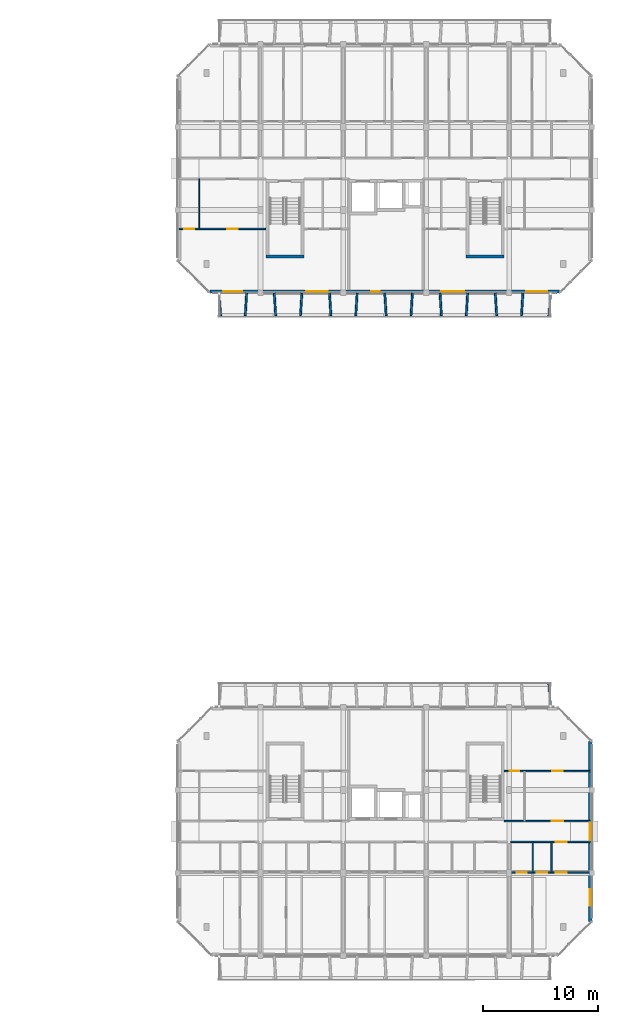
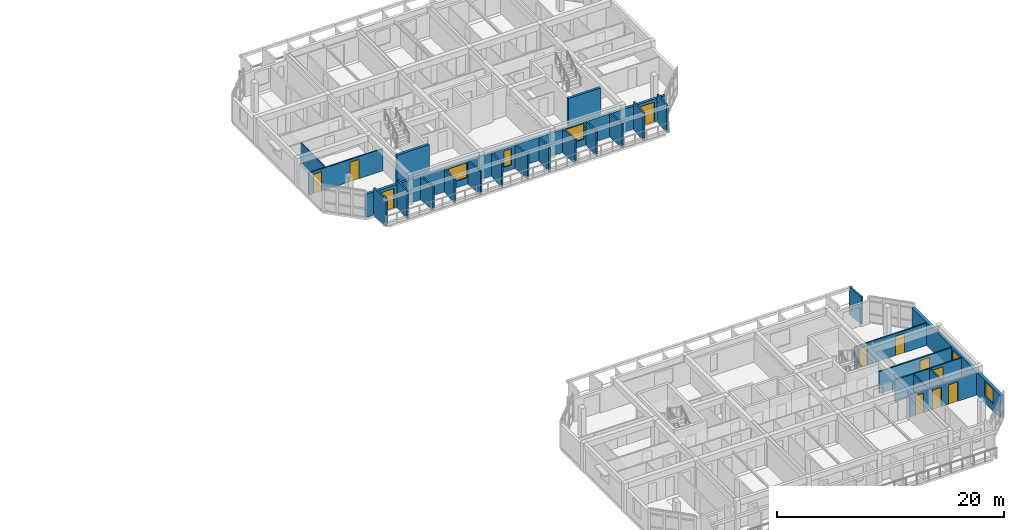
# One storey, part 28 of 43: 26 walls, 11 doors, 5 windows, 16 openings.
"""IFC4 building model written with IfcOpenShell, lengths in metres."""

from ifc_helpers import new_model, si_unit, direction, frame, frame_2d, origin, place, context, subcontext, project, spatial, rectangle, extrude, material, layer, layer_set, type_object, element, fill, save


model = new_model("IFC4")

# Units and contexts
model_context = context("Model", 3, precision=1e-05, world=origin(), true_north=direction((0.0, 1.0)))
body_context = subcontext(model_context, "Body", "Model", "MODEL_VIEW")
ifc_project = project(units=[si_unit("LENGTHUNIT", "METRE"), si_unit("AREAUNIT", "SQUARE_METRE"), si_unit("VOLUMEUNIT", "CUBIC_METRE"), si_unit("PLANEANGLEUNIT", "RADIAN"), si_unit("MASSUNIT", "GRAM", prefix="KILO")], contexts=[model_context])

# Site, building, storey
site_placement = place(None, origin())
site = spatial("IfcSite", under=ifc_project, at=site_placement, CompositionType="ELEMENT")
building_placement = place(site_placement, origin())
building = spatial("IfcBuilding", under=site, at=building_placement, Name="Ochrevale Crest", CompositionType="ELEMENT")
storey_placement = place(building_placement, frame((0.0, 0.0, 30.75)))
storey = spatial("IfcBuildingStorey", under=building, at=storey_placement, Name="L09", CompositionType="ELEMENT", Elevation=30.75)

# Wall, opening, door
ifc_material_1 = material(Name="Gypsum plasterboard", Category="gypsum")
ifc_layer_1 = layer(ifc_material_1, 0.139892578125)
ifc_layer_set_1 = layer_set([ifc_layer_1], Name="Gypsum plasterboard")
wall_type_1 = type_object("IfcWallType", Name="WL-COR-140", PredefinedType="PARTITIONING", material=ifc_layer_set_1)
wall_1_placement = place(storey_placement, frame((158.5400390625, 24.300048828125, 0.0), z_axis=(0.0, 0.0, 1.0), x_axis=(1.0, 0.0, 0.0)))
wall_1 = element("IfcWall", 1, at=wall_1_placement, inside=storey, type_object=wall_type_1, Name="Apartment C-L09-U5 corridor wall", PredefinedType="PARTITIONING", context=body_context, shape_type="SweptSolid", body=[
    extrude(rectangle(XDim=6.919921875, YDim=0.139892578125, at=frame_2d((3.4599609375, 0.0))), origin(), (0.0, 0.0, 1.0), 2.3798828125),
])
opening_1_placement = place(wall_1_placement, frame((4.875, 0.0, 0.0), z_axis=(0.0, 0.0, 1.0), x_axis=(-1.0, 0.0, 0.0)))
opening_1 = element("IfcOpeningElement", 2, at=opening_1_placement, cuts=wall_1, Name="Opening FD01", PredefinedType="OPENING", context=body_context, shape_type="SweptSolid", body=[
    extrude(rectangle(XDim=0.97998046875, YDim=2.10009765625, at=frame_2d((0.489990234375, 1.050048828125))), frame((0.0, 0.080078125, 0.0), z_axis=(0.0, -1.0, 0.0), x_axis=(1.0, 0.0, 0.0)), (0.0, 0.0, 1.0), 0.159912109375),
])
ifc_material_2 = material(Name="Solid-core FSC hardwood", Category="wood")
door_type_1 = type_object("IfcDoorType", Name="DR-APT-950", OperationType="NOTDEFINED", PredefinedType="DOOR", material=ifc_material_2)
door_1_placement = place(opening_1_placement, origin())
door_1 = element("IfcDoor", 3, at=door_1_placement, inside=storey, type_object=door_type_1, Name="Apartment C-L09-U5 entrance door", OperationType="SINGLE_SWING_RIGHT", OverallHeight=2.10009765625, OverallWidth=0.97998046875, PredefinedType="DOOR", context=body_context, shape_type="SweptSolid", body=[
    extrude(rectangle(XDim=0.97998046875, YDim=2.10009765625, at=frame_2d((0.489990234375, 1.050048828125))), frame((0.0, 0.02490234375, 0.0), z_axis=(0.0, -1.0, 0.0), x_axis=(1.0, 0.0, 0.0)), (0.0, 0.0, 1.0), 0.050048828125),
])
fill(opening_1, door_1)

wall_2_placement = place(storey_placement, frame((157.989990234375, 26.10009765625, 0.0), z_axis=(0.0, 0.0, 1.0), x_axis=(1.0, 0.0, 0.0)))
wall_2 = element("IfcWall", 4, at=wall_2_placement, inside=storey, type_object=wall_type_1, Name="Suite C-L09-CE corridor wall", PredefinedType="PARTITIONING", context=body_context, shape_type="SweptSolid", body=[
    extrude(rectangle(XDim=7.469970703125, YDim=0.139892578125, at=frame_2d((3.73486328125, 0.0))), origin(), (0.0, 0.0, 1.0), 2.3798828125),
])
opening_2_placement = place(wall_2_placement, frame((5.10009765625, 0.0, 0.0), z_axis=(0.0, 0.0, 1.0), x_axis=(-1.0, 0.0, 0.0)))
opening_2 = element("IfcOpeningElement", 5, at=opening_2_placement, cuts=wall_2, Name="Opening FD01", PredefinedType="OPENING", context=body_context, shape_type="SweptSolid", body=[
    extrude(rectangle(XDim=0.97998046875, YDim=2.10009765625, at=frame_2d((0.489990234375, 1.050048828125))), frame((0.0, 0.080078125, 0.0), z_axis=(0.0, -1.0, 0.0), x_axis=(1.0, 0.0, 0.0)), (0.0, 0.0, 1.0), 0.159912109375),
])
door_2_placement = place(opening_2_placement, origin())
door_2 = element("IfcDoor", 6, at=door_2_placement, inside=storey, type_object=door_type_1, Name="Suite C-L09-CE entrance door", OperationType="SINGLE_SWING_RIGHT", OverallHeight=2.10009765625, OverallWidth=0.97998046875, PredefinedType="DOOR", context=body_context, shape_type="SweptSolid", body=[
    extrude(rectangle(XDim=0.97998046875, YDim=2.10009765625, at=frame_2d((0.489990234375, 1.050048828125))), frame((0.0, 0.02490234375, 0.0), z_axis=(0.0, -1.0, 0.0), x_axis=(1.0, 0.0, 0.0)), (0.0, 0.0, 1.0), 0.050048828125),
])
fill(opening_2, door_2)

# Walls
ifc_material_3 = material(Name="Precast concrete C50/60", Category="concrete")
ifc_layer_2 = layer(ifc_material_3, 0.2548828125)
ifc_layer_set_2 = layer_set([ifc_layer_2], Name="Precast concrete C50/60")
wall_type_2 = type_object("IfcWallType", Name="WL-CORE-255", PredefinedType="SHEAR", material=ifc_layer_set_2)
for number, where, z_axis, x_axis, name in (
    (7, (137.2724609375, 75.14990234375, 0.0), (0.0, 0.0, 1.0), (1.0, 0.0, 0.0), "Block D L09 Stair 1 precast core shear wall S"),
    (8, (154.672607421875, 75.14990234375, 0.0), (0.0, 0.0, 1.0), (1.0, 0.0, 0.0), "Block D L09 Stair 2 precast core shear wall S"),
):
    element("IfcWall", number, at=place(storey_placement, frame(where, z_axis=z_axis, x_axis=x_axis)), inside=storey, type_object=wall_type_2, Name=name, PredefinedType="SHEAR", context=body_context, shape_type="SweptSolid", body=[
        extrude(rectangle(XDim=3.304931640625, YDim=0.2548828125, at=frame_2d((1.65234375, 0.0))), origin(), (0.0, 0.0, 1.0), 3.14990234375),
    ])

# Wall, openings, windows
ifc_material_4 = material(Name="Clay face brickwork", Category="masonry")
ifc_layer_3 = layer(ifc_material_4, 0.2900390625)
ifc_layer_set_3 = layer_set([ifc_layer_3], Name="Clay face brickwork")
wall_type_3 = type_object("IfcWallType", Name="WL-EXT-BRICK-290", PredefinedType="SOLIDWALL", material=ifc_layer_set_3)
wall_3_placement = place(storey_placement, frame((165.455078125, 17.39990234375, 0.0), z_axis=(0.0, 0.0, 1.0), x_axis=(0.0, 1.0, 0.0)))
wall_3 = element("IfcWall", 9, at=wall_3_placement, inside=storey, type_object=wall_type_3, Name="Block C L09 external facade wall E3", PredefinedType="SOLIDWALL", context=body_context, shape_type="SweptSolid", body=[
    extrude(rectangle(XDim=15.60009765625, YDim=0.2900390625, at=frame_2d((7.800048828125, 0.0))), origin(), (0.0, 0.0, 1.0), 2.47998046875),
])
opening_3_placement = place(wall_3_placement, frame((7.050048828125, 0.0, 1.050048828125)))
opening_3 = element("IfcOpeningElement", 10, at=opening_3_placement, cuts=wall_3, Name="Opening W18", PredefinedType="OPENING", context=body_context, shape_type="SweptSolid", body=[
    extrude(rectangle(XDim=1.5, YDim=1.14990234375, at=frame_2d((0.75, 0.574951171875))), frame((0.0, 0.155029296875, 0.0), z_axis=(0.0, -1.0, 0.0), x_axis=(1.0, 0.0, 0.0)), (0.0, 0.0, 1.0), 0.31005859375),
])
opening_4_placement = place(wall_3_placement, frame((1.362548828125, 0.0, 0.75)))
opening_4 = element("IfcOpeningElement", 11, at=opening_4_placement, cuts=wall_3, Name="Opening W31", PredefinedType="OPENING", context=body_context, shape_type="SweptSolid", body=[
    extrude(rectangle(XDim=1.419921875, YDim=1.60009765625, at=frame_2d((0.7099609375, 0.800048828125))), frame((0.0, 0.155029296875, 0.0), z_axis=(0.0, -1.0, 0.0), x_axis=(1.0, 0.0, 0.0)), (0.0, 0.0, 1.0), 0.31005859375),
])
ifc_material_5 = material(Name="Anodised aluminium 6063-T5 and low-E double glazing", Category="aluminium")
window_type_1 = type_object("IfcWindowType", Name="WIN-W18", PartitioningType="SINGLE_PANEL", PredefinedType="WINDOW", material=ifc_material_5)
window_1_placement = place(opening_3_placement, origin())
window_1 = element("IfcWindow", 12, at=window_1_placement, inside=storey, type_object=window_type_1, Name="Block C L09 corridor end daylight window E", OverallHeight=1.14990234375, OverallWidth=1.5, PartitioningType="SINGLE_PANEL", PredefinedType="WINDOW", context=body_context, shape_type="SweptSolid", body=[
    extrude(rectangle(XDim=1.5, YDim=1.14990234375, at=frame_2d((0.75, 0.574951171875))), frame((0.0, 0.030029296875, 0.0), z_axis=(0.0, -1.0, 0.0), x_axis=(1.0, 0.0, 0.0)), (0.0, 0.0, 1.0), 0.06005859375),
])
fill(opening_3, window_1)
window_type_2 = type_object("IfcWindowType", Name="WIN-W31", PartitioningType="SINGLE_PANEL", PredefinedType="WINDOW", material=ifc_material_5)
window_2_placement = place(opening_4_placement, origin())
window_2 = element("IfcWindow", 13, at=window_2_placement, inside=storey, type_object=window_type_2, Name="Block C L09 side suite window E", OverallHeight=1.60009765625, OverallWidth=1.419921875, PartitioningType="SINGLE_PANEL", PredefinedType="WINDOW", context=body_context, shape_type="SweptSolid", body=[
    extrude(rectangle(XDim=1.419921875, YDim=1.60009765625, at=frame_2d((0.7099609375, 0.800048828125))), frame((0.0, 0.030029296875, 0.0), z_axis=(0.0, -1.0, 0.0), x_axis=(1.0, 0.0, 0.0)), (0.0, 0.0, 1.0), 0.06005859375),
])
fill(opening_4, window_2)

# Wall, openings, doors, windows
ifc_material_6 = material(Name="Precast concrete C40/50", Category="concrete")
ifc_layer_4 = layer(ifc_material_6, 0.25)
ifc_layer_set_4 = layer_set([ifc_layer_4], Name="Precast concrete C40/50")
wall_type_4 = type_object("IfcWallType", Name="WL-EXT-GOLD-250", PredefinedType="SOLIDWALL", material=ifc_layer_set_4)
wall_4_placement = place(storey_placement, frame((132.39990234375, 72.125, 0.0), z_axis=(0.0, 0.0, 1.0), x_axis=(1.0, 0.0, 0.0)))
wall_4 = element("IfcWall", 14, at=wall_4_placement, inside=storey, type_object=wall_type_4, Name="Block D L09 external facade wall E1", PredefinedType="SOLIDWALL", context=body_context, shape_type="SweptSolid", body=[
    extrude(rectangle(XDim=30.400146484375, YDim=0.25, at=frame_2d((15.2001953125, 0.0))), origin(), (0.0, 0.0, 1.0), 2.47998046875),
])
opening_5_placement = place(wall_4_placement, frame((2.824951171875, 0.0, 0.0), z_axis=(0.0, 0.0, 1.0), x_axis=(-1.0, 0.0, 0.0)))
opening_5 = element("IfcOpeningElement", 15, at=opening_5_placement, cuts=wall_4, Name="Opening BD02", PredefinedType="OPENING", context=body_context, shape_type="SweptSolid", body=[
    extrude(rectangle(XDim=1.64990234375, YDim=2.14990234375, at=frame_2d((0.824951171875, 1.074951171875))), frame((0.0, 0.135009765625, 0.0), z_axis=(0.0, -1.0, 0.0), x_axis=(1.0, 0.0, 0.0)), (0.0, 0.0, 1.0), 0.27001953125),
])
opening_6_placement = place(wall_4_placement, frame((29.300048828125, 0.0, 0.0), z_axis=(0.0, 0.0, 1.0), x_axis=(-1.0, 0.0, 0.0)))
opening_6 = element("IfcOpeningElement", 16, at=opening_6_placement, cuts=wall_4, Name="Opening BD03", PredefinedType="OPENING", context=body_context, shape_type="SweptSolid", body=[
    extrude(rectangle(XDim=1.800048828125, YDim=2.14990234375, at=frame_2d((0.89990234375, 1.074951171875))), frame((0.0, 0.135009765625, 0.0), z_axis=(0.0, -1.0, 0.0), x_axis=(1.0, 0.0, 0.0)), (0.0, 0.0, 1.0), 0.27001953125),
])
opening_7_placement = place(wall_4_placement, frame((14.02001953125, 0.0, 0.5)))
opening_7 = element("IfcOpeningElement", 17, at=opening_7_placement, cuts=wall_4, Name="Opening W16", PredefinedType="OPENING", context=body_context, shape_type="SweptSolid", body=[
    extrude(rectangle(XDim=0.75, YDim=1.75, at=frame_2d((0.375, 0.875))), frame((0.0, 0.135009765625, 0.0), z_axis=(0.0, -1.0, 0.0), x_axis=(1.0, 0.0, 0.0)), (0.0, 0.0, 1.0), 0.27001953125),
])
opening_8_placement = place(wall_4_placement, frame((20.125, 0.0, 0.699951171875)))
opening_8 = element("IfcOpeningElement", 18, at=opening_8_placement, cuts=wall_4, Name="Opening W12", PredefinedType="OPENING", context=body_context, shape_type="SweptSolid", body=[
    extrude(rectangle(XDim=2.0, YDim=1.64990234375, at=frame_2d((1.0, 0.824951171875))), frame((0.0, 0.135009765625, 0.0), z_axis=(0.0, -1.0, 0.0), x_axis=(1.0, 0.0, 0.0)), (0.0, 0.0, 1.0), 0.27001953125),
])
opening_9_placement = place(wall_4_placement, frame((8.3701171875, 0.0, 0.699951171875)))
opening_9 = element("IfcOpeningElement", 19, at=opening_9_placement, cuts=wall_4, Name="Opening W11", PredefinedType="OPENING", context=body_context, shape_type="SweptSolid", body=[
    extrude(rectangle(XDim=1.860107421875, YDim=1.60009765625, at=frame_2d((0.93017578125, 0.800048828125))), frame((0.0, 0.135009765625, 0.0), z_axis=(0.0, -1.0, 0.0), x_axis=(1.0, 0.0, 0.0)), (0.0, 0.0, 1.0), 0.27001953125),
])
ifc_material_7 = material(Name="Anodised aluminium 6063-T5 and toughened glass", Category="aluminium")
door_type_2 = type_object("IfcDoorType", Name="DR-BAL-1650", OperationType="NOTDEFINED", PredefinedType="DOOR", material=ifc_material_7)
door_3_placement = place(opening_5_placement, origin())
door_3 = element("IfcDoor", 20, at=door_3_placement, inside=storey, type_object=door_type_2, Name="Block D L09 balcony door S1", OperationType="SINGLE_SWING_LEFT", OverallHeight=2.14990234375, OverallWidth=1.64990234375, PredefinedType="DOOR", context=body_context, shape_type="SweptSolid", body=[
    extrude(rectangle(XDim=1.64990234375, YDim=2.14990234375, at=frame_2d((0.824951171875, 1.074951171875))), frame((0.0, 0.02490234375, 0.0), z_axis=(0.0, -1.0, 0.0), x_axis=(1.0, 0.0, 0.0)), (0.0, 0.0, 1.0), 0.050048828125),
])
fill(opening_5, door_3)
door_type_3 = type_object("IfcDoorType", Name="DR-BAL-1800", OperationType="NOTDEFINED", PredefinedType="DOOR", material=ifc_material_7)
door_4_placement = place(opening_6_placement, origin())
door_4 = element("IfcDoor", 21, at=door_4_placement, inside=storey, type_object=door_type_3, Name="Block D L09 balcony door S5", OperationType="SINGLE_SWING_RIGHT", OverallHeight=2.14990234375, OverallWidth=1.800048828125, PredefinedType="DOOR", context=body_context, shape_type="SweptSolid", body=[
    extrude(rectangle(XDim=1.800048828125, YDim=2.14990234375, at=frame_2d((0.89990234375, 1.074951171875))), frame((0.0, 0.02490234375, 0.0), z_axis=(0.0, -1.0, 0.0), x_axis=(1.0, 0.0, 0.0)), (0.0, 0.0, 1.0), 0.050048828125),
])
fill(opening_6, door_4)
window_type_3 = type_object("IfcWindowType", Name="WIN-W11", PartitioningType="SINGLE_PANEL", PredefinedType="WINDOW", material=ifc_material_5)
window_3_placement = place(opening_9_placement, origin())
window_3 = element("IfcWindow", 22, at=window_3_placement, inside=storey, type_object=window_type_3, Name="Block D L09 Suite D-L09-MW Courtyard Studio Living window", OverallHeight=1.60009765625, OverallWidth=1.860107421875, PartitioningType="SINGLE_PANEL", PredefinedType="WINDOW", context=body_context, shape_type="SweptSolid", body=[
    extrude(rectangle(XDim=1.860107421875, YDim=1.60009765625, at=frame_2d((0.93017578125, 0.800048828125))), frame((0.0, 0.030029296875, 0.0), z_axis=(0.0, -1.0, 0.0), x_axis=(1.0, 0.0, 0.0)), (0.0, 0.0, 1.0), 0.06005859375),
])
fill(opening_9, window_3)
window_type_4 = type_object("IfcWindowType", Name="WIN-W12", PartitioningType="SINGLE_PANEL", PredefinedType="WINDOW", material=ifc_material_5)
window_4_placement = place(opening_8_placement, origin())
window_4 = element("IfcWindow", 23, at=window_4_placement, inside=storey, type_object=window_type_4, Name="Block D L09 Suite D-L09-ME Garden Alcove Studio window", OverallHeight=1.64990234375, OverallWidth=2.0, PartitioningType="SINGLE_PANEL", PredefinedType="WINDOW", context=body_context, shape_type="SweptSolid", body=[
    extrude(rectangle(XDim=2.0, YDim=1.64990234375, at=frame_2d((1.0, 0.824951171875))), frame((0.0, 0.030029296875, 0.0), z_axis=(0.0, -1.0, 0.0), x_axis=(1.0, 0.0, 0.0)), (0.0, 0.0, 1.0), 0.06005859375),
])
fill(opening_8, window_4)
window_type_5 = type_object("IfcWindowType", Name="WIN-W16", PartitioningType="SINGLE_PANEL", PredefinedType="WINDOW", material=ifc_material_5)
window_5_placement = place(opening_7_placement, origin())
window_5 = element("IfcWindow", 24, at=window_5_placement, inside=storey, type_object=window_type_5, Name="Block D L09 core lancet window", OverallHeight=1.75, OverallWidth=0.75, PartitioningType="SINGLE_PANEL", PredefinedType="WINDOW", context=body_context, shape_type="SweptSolid", body=[
    extrude(rectangle(XDim=0.75, YDim=1.75, at=frame_2d((0.375, 0.875))), frame((0.0, 0.030029296875, 0.0), z_axis=(0.0, -1.0, 0.0), x_axis=(1.0, 0.0, 0.0)), (0.0, 0.0, 1.0), 0.06005859375),
])
fill(opening_7, window_5)

# Walls
ifc_layer_5 = layer(ifc_material_6, 0.1650390625)
ifc_layer_set_5 = layer_set([ifc_layer_5], Name="Precast concrete C40/50")
wall_type_5 = type_object("IfcWallType", Name="WL-HC-CHEEK-165", PredefinedType="ELEMENTEDWALL", material=ifc_layer_set_5)
for number, where, z_axis, x_axis, name in (
    (25, (162.0, 36.02001953125, 0.0), (0.0, 0.0, 1.0), (-0.071194071069, 0.997462482625, 0.0), "Block C L09 N precast honeycomb cheek 13"),
    (26, (133.199951171875, 71.97998046875, 0.0), (0.0, 0.0, 1.0), (0.071317687608, -0.997453651772, 0.0), "Block D L09 S precast honeycomb cheek 1"),
):
    element("IfcWall", number, at=place(storey_placement, frame(where, z_axis=z_axis, x_axis=x_axis)), inside=storey, type_object=wall_type_5, Name=name, PredefinedType="ELEMENTEDWALL", context=body_context, shape_type="SweptSolid", body=[
        extrude(rectangle(XDim=1.96484375, YDim=0.1650390625, at=frame_2d((0.982421875, 0.0))), origin(), (0.0, 0.0, 1.0), 2.949951171875),
    ])
wall_5_placement = place(storey_placement, frame((135.60009765625, 71.97998046875, 0.0), z_axis=(0.0, 0.0, 1.0), x_axis=(-0.061170732449, -0.998127317276, 0.0)))
element("IfcWall", 27, at=wall_5_placement, inside=storey, type_object=wall_type_5, Name="Block D L09 S precast honeycomb cheek 2", PredefinedType="ELEMENTEDWALL", context=body_context, shape_type="SweptSolid", body=[
    extrude(rectangle(XDim=1.963623046875, YDim=0.1650390625, at=frame_2d((0.98193359375, 0.0))), origin(), (0.0, 0.0, 1.0), 2.949951171875),
])
for number, where, z_axis, x_axis, name in (
    (28, (138.0, 71.97998046875, 0.0), (0.0, 0.0, 1.0), (0.061170732449, -0.998127317276, 0.0), "Block D L09 S precast honeycomb cheek 3"),
    (29, (140.39990234375, 71.97998046875, 0.0), (0.0, 0.0, 1.0), (-0.061046865508, -0.998134900808, 0.0), "Block D L09 S precast honeycomb cheek 4"),
    (30, (142.800048828125, 71.97998046875, 0.0), (0.0, 0.0, 1.0), (0.061046865508, -0.998134900808, 0.0), "Block D L09 S precast honeycomb cheek 5"),
):
    element("IfcWall", number, at=place(storey_placement, frame(where, z_axis=z_axis, x_axis=x_axis)), inside=storey, type_object=wall_type_5, Name=name, PredefinedType="ELEMENTEDWALL", context=body_context, shape_type="SweptSolid", body=[
        extrude(rectangle(XDim=1.963623046875, YDim=0.1650390625, at=frame_2d((0.98193359375, 0.0))), origin(), (0.0, 0.0, 1.0), 2.47998046875),
    ])
for number, where, z_axis, x_axis, name in (
    (31, (145.199951171875, 71.97998046875, 0.0), (0.0, 0.0, 1.0), (-0.061046865508, -0.998134900808, 0.0), "Block D L09 S precast honeycomb cheek 6"),
    (32, (147.60009765625, 71.97998046875, 0.0), (0.0, 0.0, 1.0), (0.061046865508, -0.998134900808, 0.0), "Block D L09 S precast honeycomb cheek 7"),
    (33, (150.0, 71.97998046875, 0.0), (0.0, 0.0, 1.0), (-0.061170732449, -0.998127317276, 0.0), "Block D L09 S precast honeycomb cheek 8"),
):
    element("IfcWall", number, at=place(storey_placement, frame(where, z_axis=z_axis, x_axis=x_axis)), inside=storey, type_object=wall_type_5, Name=name, PredefinedType="ELEMENTEDWALL", context=body_context, shape_type="SweptSolid", body=[
        extrude(rectangle(XDim=1.963623046875, YDim=0.1650390625, at=frame_2d((0.98193359375, 0.0))), origin(), (0.0, 0.0, 1.0), 2.550048828125),
    ])
for number, where, z_axis, x_axis, name in (
    (34, (152.39990234375, 71.97998046875, 0.0), (0.0, 0.0, 1.0), (0.061170732449, -0.998127317276, 0.0), "Block D L09 S precast honeycomb cheek 9"),
    (35, (154.800048828125, 71.97998046875, 0.0), (0.0, 0.0, 1.0), (-0.061170732449, -0.998127317276, 0.0), "Block D L09 S precast honeycomb cheek 10"),
    (36, (157.199951171875, 71.97998046875, 0.0), (0.0, 0.0, 1.0), (0.061170732449, -0.998127317276, 0.0), "Block D L09 S precast honeycomb cheek 11"),
):
    element("IfcWall", number, at=place(storey_placement, frame(where, z_axis=z_axis, x_axis=x_axis)), inside=storey, type_object=wall_type_5, Name=name, PredefinedType="ELEMENTEDWALL", context=body_context, shape_type="SweptSolid", body=[
        extrude(rectangle(XDim=1.963623046875, YDim=0.1650390625, at=frame_2d((0.98193359375, 0.0))), origin(), (0.0, 0.0, 1.0), 2.580078125),
    ])
wall_6_placement = place(storey_placement, frame((159.60009765625, 71.97998046875, 0.0), z_axis=(0.0, 0.0, 1.0), x_axis=(-0.061170732449, -0.998127317276, 0.0)))
element("IfcWall", 37, at=wall_6_placement, inside=storey, type_object=wall_type_5, Name="Block D L09 S precast honeycomb cheek 12", PredefinedType="ELEMENTEDWALL", context=body_context, shape_type="SweptSolid", body=[
    extrude(rectangle(XDim=1.963623046875, YDim=0.1650390625, at=frame_2d((0.98193359375, 0.0))), origin(), (0.0, 0.0, 1.0), 2.949951171875),
])
wall_7_placement = place(storey_placement, frame((162.0, 71.97998046875, 0.0), z_axis=(0.0, 0.0, 1.0), x_axis=(-0.071194071069, -0.997462482625, 0.0)))
element("IfcWall", 38, at=wall_7_placement, inside=storey, type_object=wall_type_5, Name="Block D L09 S precast honeycomb cheek 13", PredefinedType="ELEMENTEDWALL", context=body_context, shape_type="SweptSolid", body=[
    extrude(rectangle(XDim=1.96484375, YDim=0.1650390625, at=frame_2d((0.982421875, 0.0))), origin(), (0.0, 0.0, 1.0), 2.949951171875),
])
ifc_layer_6 = layer(ifc_material_1, 0.1201171875)
ifc_layer_set_6 = layer_set([ifc_layer_6], Name="Gypsum plasterboard")
wall_type_6 = type_object("IfcWallType", Name="WL-PART-120", PredefinedType="PARTITIONING", material=ifc_layer_set_6)
wall_8_placement = place(storey_placement, frame((162.10009765625, 21.64990234375, 0.0), z_axis=(0.0, 0.0, 1.0), x_axis=(0.0, 1.0, 0.0)))
element("IfcWall", 39, at=wall_8_placement, inside=storey, type_object=wall_type_6, Name="Apartment C-L09-U5 kitchen-foyer wall", PredefinedType="PARTITIONING", context=body_context, shape_type="SweptSolid", body=[
    extrude(rectangle(XDim=2.650146484375, YDim=0.1201171875, at=frame_2d((1.3251953125, 0.0))), origin(), (0.0, 0.0, 1.0), 2.3798828125),
])

# Wall, openings, doors
wall_9_placement = place(storey_placement, frame((158.5400390625, 21.64990234375, 0.0), z_axis=(0.0, 0.0, 1.0), x_axis=(1.0, 0.0, 0.0)))
wall_9 = element("IfcWall", 40, at=wall_9_placement, inside=storey, type_object=wall_type_6, Name="Apartment C-L09-U5 central partition", PredefinedType="PARTITIONING", context=body_context, shape_type="SweptSolid", body=[
    extrude(rectangle(XDim=6.919921875, YDim=0.1201171875, at=frame_2d((3.4599609375, 0.0))), origin(), (0.0, 0.0, 1.0), 2.3798828125),
])
opening_10_placement = place(wall_9_placement, frame((0.530029296875, 0.0, 0.0)))
opening_10 = element("IfcOpeningElement", 41, at=opening_10_placement, cuts=wall_9, Name="Opening ID01", PredefinedType="OPENING", context=body_context, shape_type="SweptSolid", body=[
    extrude(rectangle(XDim=0.85009765625, YDim=2.080078125, at=frame_2d((0.425048828125, 1.0400390625))), frame((0.0, 0.070068359375, 0.0), z_axis=(0.0, -1.0, 0.0), x_axis=(1.0, 0.0, 0.0)), (0.0, 0.0, 1.0), 0.14013671875),
])
opening_11_placement = place(wall_9_placement, frame((3.184814453125, 0.0, 0.0), z_axis=(0.0, 0.0, 1.0), x_axis=(-1.0, 0.0, 0.0)))
opening_11 = element("IfcOpeningElement", 42, at=opening_11_placement, cuts=wall_9, Name="Opening ID02", PredefinedType="OPENING", context=body_context, shape_type="SweptSolid", body=[
    extrude(rectangle(XDim=0.89990234375, YDim=2.080078125, at=frame_2d((0.449951171875, 1.0400390625))), frame((0.0, 0.070068359375, 0.0), z_axis=(0.0, -1.0, 0.0), x_axis=(1.0, 0.0, 0.0)), (0.0, 0.0, 1.0), 0.14013671875),
])
opening_12_placement = place(wall_9_placement, frame((3.909912109375, 0.0, 0.0)))
opening_12 = element("IfcOpeningElement", 43, at=opening_12_placement, cuts=wall_9, Name="Opening ID06", PredefinedType="OPENING", context=body_context, shape_type="SweptSolid", body=[
    extrude(rectangle(XDim=0.949951171875, YDim=2.080078125, at=frame_2d((0.47509765625, 1.0400390625))), frame((0.0, 0.070068359375, 0.0), z_axis=(0.0, -1.0, 0.0), x_axis=(1.0, 0.0, 0.0)), (0.0, 0.0, 1.0), 0.14013671875),
])
door_type_4 = type_object("IfcDoorType", Name="DR-INT-900", OperationType="NOTDEFINED", PredefinedType="DOOR", material=ifc_material_2)
door_5_placement = place(opening_11_placement, origin())
door_5 = element("IfcDoor", 44, at=door_5_placement, inside=storey, type_object=door_type_4, Name="Apartment C-L09-U5 Kitchen door", OperationType="SINGLE_SWING_RIGHT", OverallHeight=2.080078125, OverallWidth=0.89990234375, PredefinedType="DOOR", context=body_context, shape_type="SweptSolid", body=[
    extrude(rectangle(XDim=0.89990234375, YDim=2.080078125, at=frame_2d((0.449951171875, 1.0400390625))), frame((0.0, 0.02490234375, 0.0), z_axis=(0.0, -1.0, 0.0), x_axis=(1.0, 0.0, 0.0)), (0.0, 0.0, 1.0), 0.050048828125),
])
fill(opening_11, door_5)
door_type_5 = type_object("IfcDoorType", Name="DR-INT-950", OperationType="NOTDEFINED", PredefinedType="DOOR", material=ifc_material_2)
door_6_placement = place(opening_12_placement, origin())
door_6 = element("IfcDoor", 45, at=door_6_placement, inside=storey, type_object=door_type_5, Name="Apartment C-L09-U5 Living Foyer door", OperationType="SINGLE_SWING_LEFT", OverallHeight=2.080078125, OverallWidth=0.949951171875, PredefinedType="DOOR", context=body_context, shape_type="SweptSolid", body=[
    extrude(rectangle(XDim=0.949951171875, YDim=2.080078125, at=frame_2d((0.47509765625, 1.0400390625))), frame((0.0, 0.02490234375, 0.0), z_axis=(0.0, -1.0, 0.0), x_axis=(1.0, 0.0, 0.0)), (0.0, 0.0, 1.0), 0.050048828125),
])
fill(opening_12, door_6)
door_type_6 = type_object("IfcDoorType", Name="DR-WC-850", OperationType="NOTDEFINED", PredefinedType="DOOR", material=ifc_material_2)
door_7_placement = place(opening_10_placement, origin())
door_7 = element("IfcDoor", 46, at=door_7_placement, inside=storey, type_object=door_type_6, Name="Apartment C-L09-U5 Bathroom door", OperationType="SINGLE_SWING_LEFT", OverallHeight=2.080078125, OverallWidth=0.85009765625, PredefinedType="DOOR", context=body_context, shape_type="SweptSolid", body=[
    extrude(rectangle(XDim=0.85009765625, YDim=2.080078125, at=frame_2d((0.425048828125, 1.0400390625))), frame((0.0, 0.02490234375, 0.0), z_axis=(0.0, -1.0, 0.0), x_axis=(1.0, 0.0, 0.0)), (0.0, 0.0, 1.0), 0.050048828125),
])
fill(opening_10, door_7)

wall_10_placement = place(storey_placement, frame((157.989990234375, 30.449951171875, 0.0), z_axis=(0.0, 0.0, 1.0), x_axis=(1.0, 0.0, 0.0)))
wall_10 = element("IfcWall", 47, at=wall_10_placement, inside=storey, type_object=wall_type_6, Name="Suite C-L09-CE internal wall", PredefinedType="PARTITIONING", context=body_context, shape_type="SweptSolid", body=[
    extrude(rectangle(XDim=7.469970703125, YDim=0.1201171875, at=frame_2d((3.73486328125, 0.0))), origin(), (0.0, 0.0, 1.0), 2.3798828125),
])
opening_13_placement = place(wall_10_placement, frame((0.449951171875, 0.0, 0.0)))
opening_13 = element("IfcOpeningElement", 48, at=opening_13_placement, cuts=wall_10, Name="Opening ID01", PredefinedType="OPENING", context=body_context, shape_type="SweptSolid", body=[
    extrude(rectangle(XDim=0.85009765625, YDim=2.080078125, at=frame_2d((0.425048828125, 1.0400390625))), frame((0.0, 0.070068359375, 0.0), z_axis=(0.0, -1.0, 0.0), x_axis=(1.0, 0.0, 0.0)), (0.0, 0.0, 1.0), 0.14013671875),
])
opening_14_placement = place(wall_10_placement, frame((5.06982421875, 0.0, 0.0), z_axis=(0.0, 0.0, 1.0), x_axis=(-1.0, 0.0, 0.0)))
opening_14 = element("IfcOpeningElement", 49, at=opening_14_placement, cuts=wall_10, Name="Opening ID04", PredefinedType="OPENING", context=body_context, shape_type="SweptSolid", body=[
    extrude(rectangle(XDim=0.919921875, YDim=2.080078125, at=frame_2d((0.4599609375, 1.0400390625))), frame((0.0, 0.070068359375, 0.0), z_axis=(0.0, -1.0, 0.0), x_axis=(1.0, 0.0, 0.0)), (0.0, 0.0, 1.0), 0.14013671875),
])
door_type_7 = type_object("IfcDoorType", Name="DR-INT-920", OperationType="NOTDEFINED", PredefinedType="DOOR", material=ifc_material_2)
door_8_placement = place(opening_14_placement, origin())
door_8 = element("IfcDoor", 50, at=door_8_placement, inside=storey, type_object=door_type_7, Name="Suite C-L09-CE Master Bedroom door", OperationType="SINGLE_SWING_RIGHT", OverallHeight=2.080078125, OverallWidth=0.919921875, PredefinedType="DOOR", context=body_context, shape_type="SweptSolid", body=[
    extrude(rectangle(XDim=0.919921875, YDim=2.080078125, at=frame_2d((0.4599609375, 1.0400390625))), frame((0.0, 0.02490234375, 0.0), z_axis=(0.0, -1.0, 0.0), x_axis=(1.0, 0.0, 0.0)), (0.0, 0.0, 1.0), 0.050048828125),
])
fill(opening_14, door_8)
door_9_placement = place(opening_13_placement, origin())
door_9 = element("IfcDoor", 51, at=door_9_placement, inside=storey, type_object=door_type_6, Name="Suite C-L09-CE Bathroom door", OperationType="SINGLE_SWING_LEFT", OverallHeight=2.080078125, OverallWidth=0.85009765625, PredefinedType="DOOR", context=body_context, shape_type="SweptSolid", body=[
    extrude(rectangle(XDim=0.85009765625, YDim=2.080078125, at=frame_2d((0.425048828125, 1.0400390625))), frame((0.0, 0.02490234375, 0.0), z_axis=(0.0, -1.0, 0.0), x_axis=(1.0, 0.0, 0.0)), (0.0, 0.0, 1.0), 0.050048828125),
])
fill(opening_13, door_9)

wall_11_placement = place(storey_placement, frame((129.739990234375, 77.550048828125, 0.0), z_axis=(0.0, 0.0, 1.0), x_axis=(1.0, 0.0, 0.0)))
wall_11 = element("IfcWall", 52, at=wall_11_placement, inside=storey, type_object=wall_type_6, Name="Suite D-L09-CW internal wall", PredefinedType="PARTITIONING", context=body_context, shape_type="SweptSolid", body=[
    extrude(rectangle(XDim=7.52001953125, YDim=0.1201171875, at=frame_2d((3.760009765625, 0.0))), origin(), (0.0, 0.0, 1.0), 2.3798828125),
])
opening_15_placement = place(wall_11_placement, frame((0.449951171875, 0.0, 0.0)))
opening_15 = element("IfcOpeningElement", 53, at=opening_15_placement, cuts=wall_11, Name="Opening ID01", PredefinedType="OPENING", context=body_context, shape_type="SweptSolid", body=[
    extrude(rectangle(XDim=0.85009765625, YDim=2.080078125, at=frame_2d((0.425048828125, 1.0400390625))), frame((0.0, 0.070068359375, 0.0), z_axis=(0.0, -1.0, 0.0), x_axis=(1.0, 0.0, 0.0)), (0.0, 0.0, 1.0), 0.14013671875),
])
opening_16_placement = place(wall_11_placement, frame((5.094970703125, 0.0, 0.0), z_axis=(0.0, 0.0, 1.0), x_axis=(-1.0, 0.0, 0.0)))
opening_16 = element("IfcOpeningElement", 54, at=opening_16_placement, cuts=wall_11, Name="Opening ID04", PredefinedType="OPENING", context=body_context, shape_type="SweptSolid", body=[
    extrude(rectangle(XDim=0.919921875, YDim=2.080078125, at=frame_2d((0.4599609375, 1.0400390625))), frame((0.0, 0.070068359375, 0.0), z_axis=(0.0, -1.0, 0.0), x_axis=(1.0, 0.0, 0.0)), (0.0, 0.0, 1.0), 0.14013671875),
])
door_10_placement = place(opening_16_placement, origin())
door_10 = element("IfcDoor", 55, at=door_10_placement, inside=storey, type_object=door_type_7, Name="Suite D-L09-CW Garden Alcove Studio door", OperationType="SINGLE_SWING_RIGHT", OverallHeight=2.080078125, OverallWidth=0.919921875, PredefinedType="DOOR", context=body_context, shape_type="SweptSolid", body=[
    extrude(rectangle(XDim=0.919921875, YDim=2.080078125, at=frame_2d((0.4599609375, 1.0400390625))), frame((0.0, 0.02490234375, 0.0), z_axis=(0.0, -1.0, 0.0), x_axis=(1.0, 0.0, 0.0)), (0.0, 0.0, 1.0), 0.050048828125),
])
fill(opening_16, door_10)
door_11_placement = place(opening_15_placement, origin())
door_11 = element("IfcDoor", 56, at=door_11_placement, inside=storey, type_object=door_type_6, Name="Suite D-L09-CW Bathroom door", OperationType="SINGLE_SWING_LEFT", OverallHeight=2.080078125, OverallWidth=0.85009765625, PredefinedType="DOOR", context=body_context, shape_type="SweptSolid", body=[
    extrude(rectangle(XDim=0.85009765625, YDim=2.080078125, at=frame_2d((0.425048828125, 1.0400390625))), frame((0.0, 0.02490234375, 0.0), z_axis=(0.0, -1.0, 0.0), x_axis=(1.0, 0.0, 0.0)), (0.0, 0.0, 1.0), 0.050048828125),
])
fill(opening_15, door_11)

# Walls
ifc_layer_7 = layer(ifc_material_1, 0.10009765625)
ifc_layer_set_7 = layer_set([ifc_layer_7], Name="Gypsum plasterboard")
wall_type_7 = type_object("IfcWallType", Name="WL-WET-100", PredefinedType="PARTITIONING", material=ifc_layer_set_7)
wall_12_placement = place(storey_placement, frame((160.449951171875, 21.64990234375, 0.0), z_axis=(0.0, 0.0, 1.0), x_axis=(0.0, 1.0, 0.0)))
element("IfcWall", 57, at=wall_12_placement, inside=storey, type_object=wall_type_7, Name="Apartment C-L09-U5 bath-kitchen wall", PredefinedType="PARTITIONING", context=body_context, shape_type="SweptSolid", body=[
    extrude(rectangle(XDim=2.650146484375, YDim=0.10009765625, at=frame_2d((1.3251953125, 0.0))), origin(), (0.0, 0.0, 1.0), 2.3798828125),
])
wall_13_placement = place(storey_placement, frame((131.489990234375, 77.550048828125, 0.0), z_axis=(0.0, 0.0, 1.0), x_axis=(0.0, 1.0, 0.0)))
element("IfcWall", 58, at=wall_13_placement, inside=storey, type_object=wall_type_7, Name="Suite D-L09-CW bathroom divider", PredefinedType="PARTITIONING", context=body_context, shape_type="SweptSolid", body=[
    extrude(rectangle(XDim=4.349853515625, YDim=0.10009765625, at=frame_2d((2.1748046875, 0.0))), origin(), (0.0, 0.0, 1.0), 2.3798828125),
])

save(model, "model.ifc")
